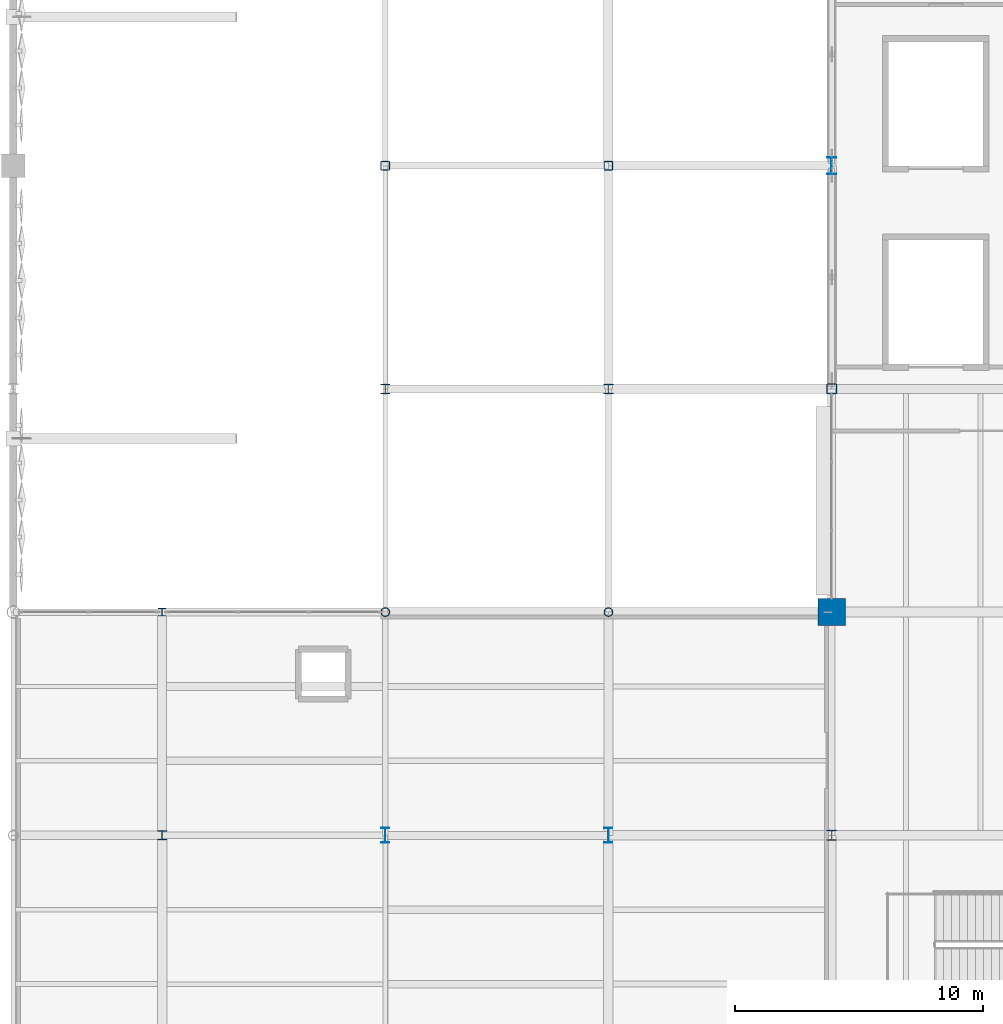
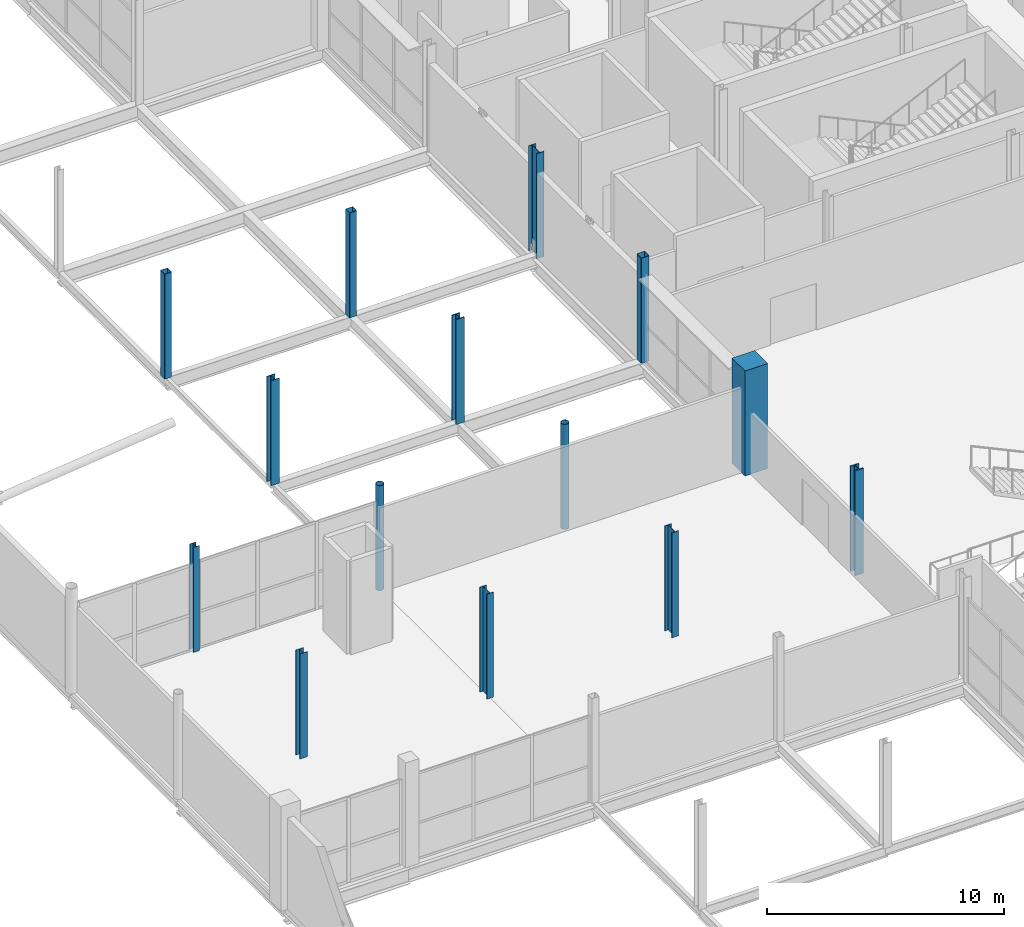
# One storey, part 13 of 119: 14 columns.
"""IFC4 building model written with IfcOpenShell, lengths in metres."""

from ifc_helpers import new_model, si_unit, direction, frame, origin, origin_2d, place, context, subcontext, project, spatial, rectangle, hollow_rectangle, hollow_circle, i_section, extrude, material, material_profile, profile_set, type_object, element, save


model = new_model("IFC4")

# Units and contexts
model_context = context("Model", 3, precision=1e-05, world=origin(), true_north=direction((0.0, 1.0)))
body_context = subcontext(model_context, "Body", "Model", "MODEL_VIEW")
ifc_project = project(units=[si_unit("LENGTHUNIT", "METRE"), si_unit("AREAUNIT", "SQUARE_METRE"), si_unit("VOLUMEUNIT", "CUBIC_METRE"), si_unit("PLANEANGLEUNIT", "RADIAN"), si_unit("MASSUNIT", "GRAM", prefix="KILO")], contexts=[model_context])

# Site, building, storey
site_placement = place(None, origin())
site = spatial("IfcSite", under=ifc_project, at=site_placement, CompositionType="ELEMENT")
building_placement = place(site_placement, origin())
building = spatial("IfcBuilding", under=site, at=building_placement, Name="Qamarlyn Nura Convention Centre", CompositionType="ELEMENT")
storey_placement = place(building_placement, frame((0.0, 0.0, 5.39990234375)))
storey = spatial("IfcBuildingStorey", under=building, at=storey_placement, Name="L01", CompositionType="ELEMENT", Elevation=5.39990234375)

# Columns
ifc_material_1 = material(Name="Steel ASTM A500 Grade C", Category="steel")
ifc_material_profile_1 = material_profile(ifc_material_1, hollow_rectangle(XDim=0.39990234375, YDim=0.39990234375, WallThickness=0.01611328125, InnerFilletRadius=0.01611328125, OuterFilletRadius=0.031982421875, at=origin_2d()), Name="HSS400X400X16")
ifc_profile_set_1 = profile_set([ifc_material_profile_1], Name="Steel ASTM A500 Grade C")
column_type_1 = type_object("IfcColumnType", Name="COL-HSS-1", PredefinedType="COLUMN", material=ifc_profile_set_1)
column_1_placement = place(storey_placement, frame((153.0, 54.0, 0.0), z_axis=(0.0, 0.0, 1.0), x_axis=(1.0, 0.0, 0.0)))
element("IfcColumn", 1, at=column_1_placement, inside=storey, type_object=column_type_1, Name="L01 column 13/G", PredefinedType="COLUMN", context=body_context, shape_type="SweptSolid", body=[
    extrude(hollow_rectangle(XDim=0.39990234375, YDim=0.39990234375, WallThickness=0.01611328125, InnerFilletRadius=0.01611328125, OuterFilletRadius=0.031982421875, at=origin_2d()), origin(), (0.0, 0.0, 1.0), 5.400146484375),
])
ifc_material_profile_2 = material_profile(ifc_material_1, hollow_rectangle(XDim=0.35009765625, YDim=0.35009765625, WallThickness=0.012451171875, InnerFilletRadius=0.012451171875, OuterFilletRadius=0.02490234375, at=origin_2d()), Name="HSS350X350X12.5")
ifc_profile_set_2 = profile_set([ifc_material_profile_2], Name="Steel ASTM A500 Grade C")
column_type_2 = type_object("IfcColumnType", Name="COL-HSS-2", PredefinedType="COLUMN", material=ifc_profile_set_2)
for number, where, z_axis, x_axis, name in (
    (2, (135.0, 63.0, 0.0), (0.0, 0.0, 1.0), (1.0, 0.0, 0.0), "L01 column 11/H"),
    (3, (144.0, 63.0, 0.0), (0.0, 0.0, 1.0), (1.0, 0.0, 0.0), "L01 column 12/H"),
):
    element("IfcColumn", number, at=place(storey_placement, frame(where, z_axis=z_axis, x_axis=x_axis)), inside=storey, type_object=column_type_2, Name=name, PredefinedType="COLUMN", context=body_context, shape_type="SweptSolid", body=[
        extrude(hollow_rectangle(XDim=0.35009765625, YDim=0.35009765625, WallThickness=0.012451171875, InnerFilletRadius=0.012451171875, OuterFilletRadius=0.02490234375, at=origin_2d()), origin(), (0.0, 0.0, 1.0), 5.400146484375),
    ])
ifc_material_2 = material(Name="Steel ASTM A992", Category="steel")
ifc_material_profile_3 = material_profile(ifc_material_2, i_section(OverallWidth=0.408935546875, OverallDepth=0.425048828125, WebThickness=0.030517578125, FlangeThickness=0.049072265625, FilletRadius=0.02001953125, at=origin_2d()), Name="W360X421")
ifc_profile_set_3 = profile_set([ifc_material_profile_3], Name="Steel ASTM A992")
column_type_3 = type_object("IfcColumnType", Name="COL-MEGA-1", PredefinedType="COLUMN", material=ifc_profile_set_3)
column_2_placement = place(storey_placement, frame((153.0, 36.0, 0.0), z_axis=(0.0, 0.0, 1.0), x_axis=(1.0, 0.0, 0.0)))
element("IfcColumn", 4, at=column_2_placement, inside=storey, type_object=column_type_3, Name="L01 column 13/E", PredefinedType="COLUMN", context=body_context, shape_type="SweptSolid", body=[
    extrude(i_section(OverallWidth=0.408935546875, OverallDepth=0.425048828125, WebThickness=0.030517578125, FlangeThickness=0.049072265625, FilletRadius=0.02001953125, at=origin_2d()), origin(), (0.0, 0.0, 1.0), 5.400146484375),
])
ifc_material_3 = material(Name="Concrete C50/60", Category="concrete")
ifc_material_profile_4 = material_profile(ifc_material_3, rectangle(XDim=1.10009765625, YDim=1.10009765625, at=origin_2d()), Name="RC 1100x1100")
ifc_profile_set_4 = profile_set([ifc_material_profile_4], Name="Concrete C50/60")
column_type_4 = type_object("IfcColumnType", Name="COL-MEGA-2", PredefinedType="COLUMN", material=ifc_profile_set_4)
column_3_placement = place(storey_placement, frame((153.0, 45.0, 0.0), z_axis=(0.0, 0.0, 1.0), x_axis=(1.0, 0.0, 0.0)))
element("IfcColumn", 5, at=column_3_placement, inside=storey, type_object=column_type_4, Name="L01 column 13/F", PredefinedType="COLUMN", context=body_context, shape_type="SweptSolid", body=[
    extrude(rectangle(XDim=1.10009765625, YDim=1.10009765625, at=origin_2d()), origin(), (0.0, 0.0, 1.0), 5.400146484375),
])
ifc_material_4 = material(Name="Pearl-white PVDF steel ASTM A500 Grade C", Category="steel")
ifc_material_profile_5 = material_profile(ifc_material_4, hollow_circle(Radius=0.177734375, WallThickness=0.01611328125, at=origin_2d()), Name="CHS355.6X16")
ifc_profile_set_5 = profile_set([ifc_material_profile_5], Name="Pearl-white PVDF steel ASTM A500 Grade C")
column_type_5 = type_object("IfcColumnType", Name="COL-TUBE-2", PredefinedType="COLUMN", material=ifc_profile_set_5)
for number, where, z_axis, x_axis, name in (
    (6, (135.0, 45.0, 0.0), (0.0, 0.0, 1.0), (1.0, 0.0, 0.0), "L01 column 11/F"),
    (7, (144.0, 45.0, 0.0), (0.0, 0.0, 1.0), (1.0, 0.0, 0.0), "L01 column 12/F"),
):
    element("IfcColumn", number, at=place(storey_placement, frame(where, z_axis=z_axis, x_axis=x_axis)), inside=storey, type_object=column_type_5, Name=name, PredefinedType="COLUMN", context=body_context, shape_type="SweptSolid", body=[
        extrude(hollow_circle(Radius=0.177734375, WallThickness=0.01611328125, at=origin_2d()), origin(), (0.0, 0.0, 1.0), 5.400146484375),
    ])
ifc_material_profile_6 = material_profile(ifc_material_2, i_section(OverallWidth=0.39892578125, OverallDepth=0.39306640625, WebThickness=0.022705078125, FlangeThickness=0.03662109375, FilletRadius=0.01806640625, at=origin_2d()), Name="W360X287")
ifc_profile_set_6 = profile_set([ifc_material_profile_6], Name="Steel ASTM A992")
column_type_6 = type_object("IfcColumnType", Name="COL-WING-1", PredefinedType="COLUMN", material=ifc_profile_set_6)
for number, where, z_axis, x_axis, name in (
    (8, (135.0, 54.0, 0.0), (0.0, 0.0, 1.0), (1.0, 0.0, 0.0), "L01 column 11/G"),
    (9, (144.0, 54.0, 0.0), (0.0, 0.0, 1.0), (1.0, 0.0, 0.0), "L01 column 12/G"),
):
    element("IfcColumn", number, at=place(storey_placement, frame(where, z_axis=z_axis, x_axis=x_axis)), inside=storey, type_object=column_type_6, Name=name, PredefinedType="COLUMN", context=body_context, shape_type="SweptSolid", body=[
        extrude(i_section(OverallWidth=0.39892578125, OverallDepth=0.39306640625, WebThickness=0.022705078125, FlangeThickness=0.03662109375, FilletRadius=0.01806640625, at=origin_2d()), origin(), (0.0, 0.0, 1.0), 5.400146484375),
    ])
ifc_material_profile_7 = material_profile(ifc_material_2, i_section(OverallWidth=0.368896484375, OverallDepth=0.35595703125, WebThickness=0.01123046875, FlangeThickness=0.01806640625, FilletRadius=0.014892578125, at=origin_2d()), Name="W360X134")
ifc_profile_set_7 = profile_set([ifc_material_profile_7], Name="Steel ASTM A992")
column_type_7 = type_object("IfcColumnType", Name="COL-WING-3", PredefinedType="COLUMN", material=ifc_profile_set_7)
column_4_placement = place(storey_placement, frame((126.0, 36.0, 0.0), z_axis=(0.0, 0.0, 1.0), x_axis=(1.0, 0.0, 0.0)))
element("IfcColumn", 10, at=column_4_placement, inside=storey, type_object=column_type_7, Name="L01 column 10/E", PredefinedType="COLUMN", context=body_context, shape_type="SweptSolid", body=[
    extrude(i_section(OverallWidth=0.368896484375, OverallDepth=0.35595703125, WebThickness=0.01123046875, FlangeThickness=0.01806640625, FilletRadius=0.014892578125, at=origin_2d()), origin(), (0.0, 0.0, 1.0), 5.400146484375),
])
ifc_material_profile_8 = material_profile(ifc_material_2, i_section(OverallWidth=0.304931640625, OverallDepth=0.30810546875, WebThickness=0.010009765625, FlangeThickness=0.015380859375, FilletRadius=0.014892578125, at=origin_2d()), Name="W310X97")
ifc_profile_set_8 = profile_set([ifc_material_profile_8], Name="Steel ASTM A992")
column_type_8 = type_object("IfcColumnType", Name="COL-WING-4", PredefinedType="COLUMN", material=ifc_profile_set_8)
column_5_placement = place(storey_placement, frame((126.0, 45.0, 0.0), z_axis=(0.0, 0.0, 1.0), x_axis=(1.0, 0.0, 0.0)))
element("IfcColumn", 11, at=column_5_placement, inside=storey, type_object=column_type_8, Name="L01 column 10/F", PredefinedType="COLUMN", context=body_context, shape_type="SweptSolid", body=[
    extrude(i_section(OverallWidth=0.304931640625, OverallDepth=0.30810546875, WebThickness=0.010009765625, FlangeThickness=0.015380859375, FilletRadius=0.014892578125, at=origin_2d()), origin(), (0.0, 0.0, 1.0), 5.400146484375),
])
ifc_material_profile_9 = material_profile(ifc_material_2, i_section(OverallWidth=0.35498046875, OverallDepth=0.695068359375, WebThickness=0.015380859375, FlangeThickness=0.02490234375, FilletRadius=0.01806640625, at=origin_2d()), Name="W690X217")
ifc_profile_set_9 = profile_set([ifc_material_profile_9], Name="Steel ASTM A992")
column_type_9 = type_object("IfcColumnType", Name="COL-WING-5", PredefinedType="COLUMN", material=ifc_profile_set_9)
column_6_placement = place(storey_placement, frame((153.0, 63.0, 0.0), z_axis=(0.0, 0.0, 1.0), x_axis=(1.0, 0.0, 0.0)))
element("IfcColumn", 12, at=column_6_placement, inside=storey, type_object=column_type_9, Name="L01 column 13/H", PredefinedType="COLUMN", context=body_context, shape_type="SweptSolid", body=[
    extrude(i_section(OverallWidth=0.35498046875, OverallDepth=0.695068359375, WebThickness=0.015380859375, FlangeThickness=0.02490234375, FilletRadius=0.01806640625, at=origin_2d()), origin(), (0.0, 0.0, 1.0), 5.400146484375),
])
ifc_material_profile_10 = material_profile(ifc_material_2, i_section(OverallWidth=0.323974609375, OverallDepth=0.611083984375, WebThickness=0.0126953125, FlangeThickness=0.01904296875, FilletRadius=0.01611328125, at=origin_2d()), Name="W610X155")
ifc_profile_set_10 = profile_set([ifc_material_profile_10], Name="Steel ASTM A992")
column_type_10 = type_object("IfcColumnType", Name="COL-WING-6", PredefinedType="COLUMN", material=ifc_profile_set_10)
for number, where, z_axis, x_axis, name in (
    (13, (135.0, 36.0, 0.0), (0.0, 0.0, 1.0), (1.0, 0.0, 0.0), "L01 column 11/E"),
    (14, (144.0, 36.0, 0.0), (0.0, 0.0, 1.0), (1.0, 0.0, 0.0), "L01 column 12/E"),
):
    element("IfcColumn", number, at=place(storey_placement, frame(where, z_axis=z_axis, x_axis=x_axis)), inside=storey, type_object=column_type_10, Name=name, PredefinedType="COLUMN", context=body_context, shape_type="SweptSolid", body=[
        extrude(i_section(OverallWidth=0.323974609375, OverallDepth=0.611083984375, WebThickness=0.0126953125, FlangeThickness=0.01904296875, FilletRadius=0.01611328125, at=origin_2d()), origin(), (0.0, 0.0, 1.0), 5.400146484375),
    ])

save(model, "model.ifc")
